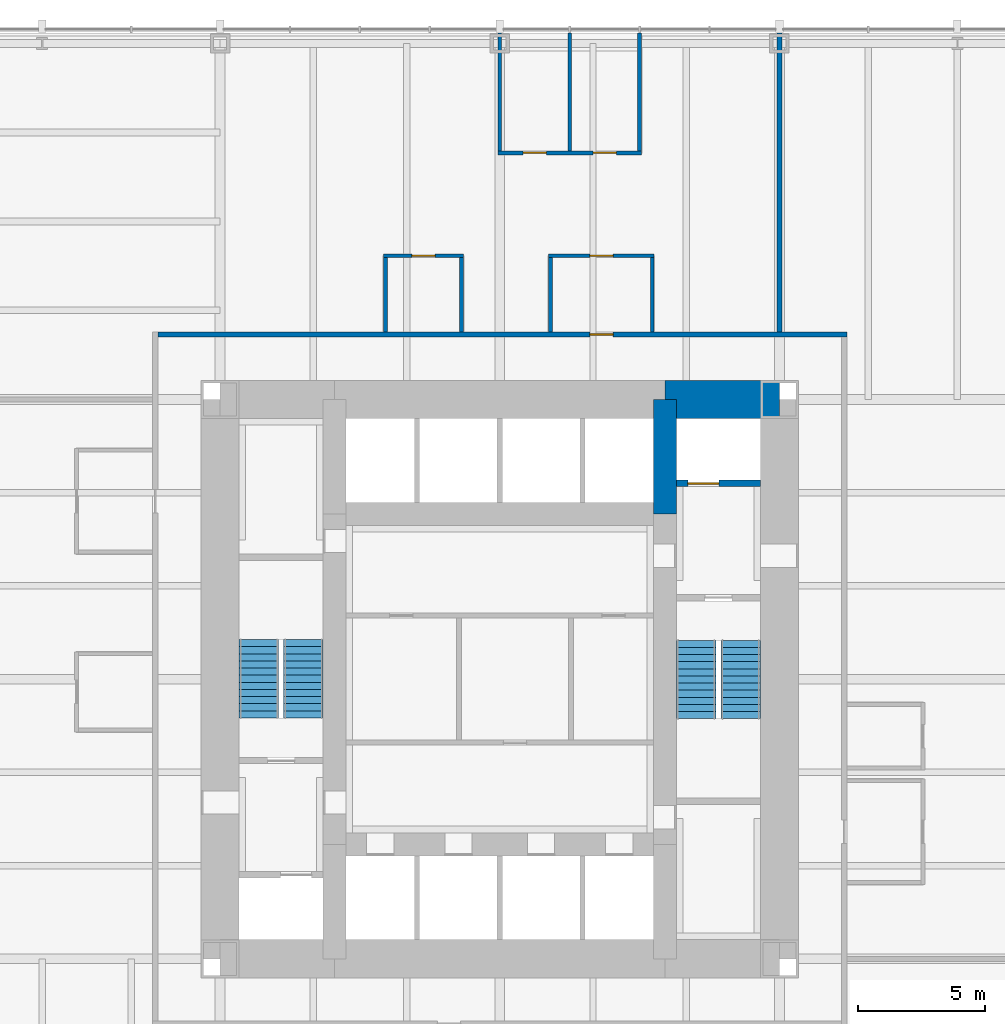
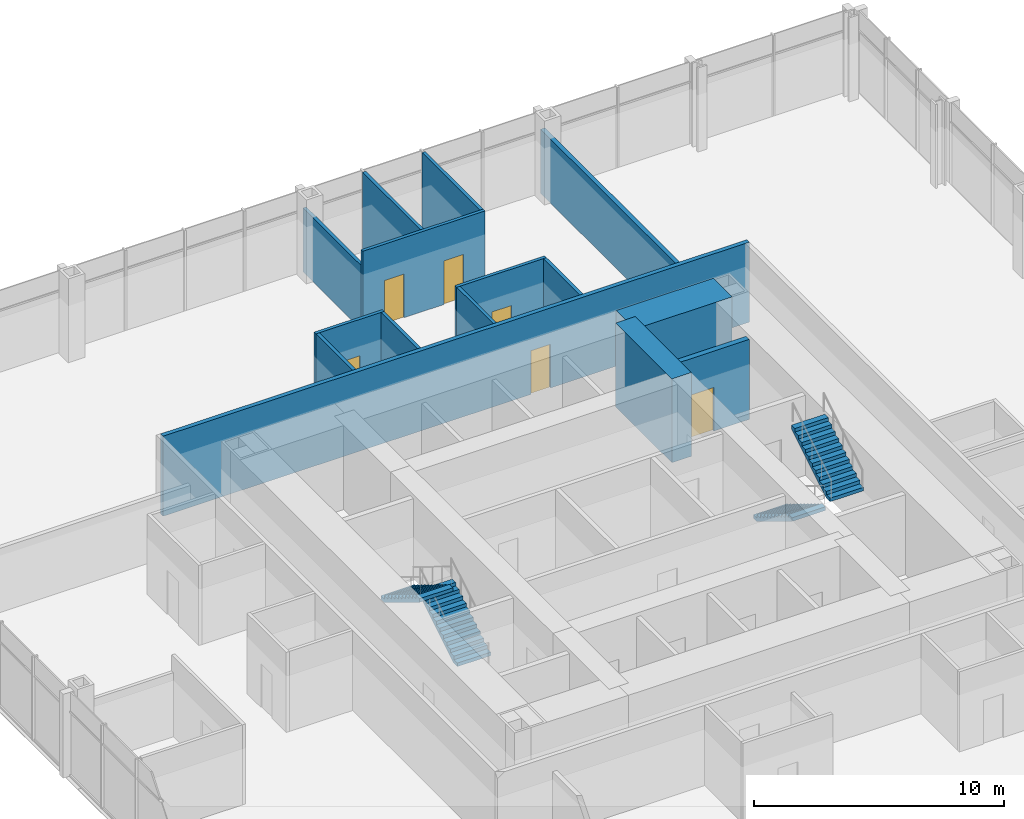
# One storey, part 11 of 12: 15 walls, 6 doors, 4 stair flights, 6 openings, 2 elements without a shape of their own.
"""IFC4 building model written with IfcOpenShell, lengths in metres."""

from ifc_helpers import new_model, si_unit, direction, frame, frame_2d, origin, place, context, subcontext, project, spatial, polyline, rectangle, outline, extrude, material, layer, layer_set, type_object, element, fill, aggregate, save


model = new_model("IFC4")

# Units and contexts
model_context = context("Model", 3, precision=1e-05, world=origin(), true_north=direction((0.0, 1.0)))
body_context = subcontext(model_context, "Body", "Model", "MODEL_VIEW")
ifc_project = project(units=[si_unit("LENGTHUNIT", "METRE"), si_unit("AREAUNIT", "SQUARE_METRE"), si_unit("VOLUMEUNIT", "CUBIC_METRE"), si_unit("PLANEANGLEUNIT", "RADIAN"), si_unit("MASSUNIT", "GRAM", prefix="KILO")], contexts=[model_context])

# Site, building, storey
site_placement = place(None, origin())
site = spatial("IfcSite", under=ifc_project, at=site_placement, CompositionType="ELEMENT")
building_placement = place(site_placement, origin())
building = spatial("IfcBuilding", under=site, at=building_placement, Name="Trevanion Tower", CompositionType="ELEMENT")
storey_placement = place(building_placement, frame((0.0, 0.0, 28.300048828125)))
storey = spatial("IfcBuildingStorey", under=building, at=storey_placement, Name="L06", CompositionType="ELEMENT", Elevation=28.300048828125)

# Walls
ifc_material_1 = material(Name="Concrete 10,000 psi", Category="concrete")
ifc_layer_1 = layer(ifc_material_1, 1.5)
ifc_layer_set_1 = layer_set([ifc_layer_1], Name="CW1 core wall 1500")
wall_type_1 = type_object("IfcWallType", Name="CW1 core wall 1500", PredefinedType="SHEAR", material=ifc_layer_set_1)
wall_1_placement = place(storey_placement, frame((11.0, 11.0, 0.0), z_axis=(0.0, 0.0, 1.0), x_axis=(-1.0, 0.0, 0.0)))
element("IfcWall", 1, at=wall_1_placement, inside=storey, type_object=wall_type_1, Name="CW1 CN1 L06", PredefinedType="SHEAR", context=body_context, shape_type="SweptSolid", body=[
    extrude(rectangle(XDim=4.5, YDim=1.5, at=frame_2d((2.25, 0.0))), origin(), (0.0, 0.0, 1.0), 4.099853515625),
])
ifc_material_2 = material(Name="Concrete 10,000 psi", Category="concrete")
ifc_layer_2 = layer(ifc_material_2, 0.89990234375)
ifc_layer_set_2 = layer_set([ifc_layer_2], Name="CW2 core wall 900")
wall_type_2 = type_object("IfcWallType", Name="CW2 core wall 900", PredefinedType="SHEAR", material=ifc_layer_set_2)
wall_2_placement = place(storey_placement, frame((6.5, 6.5, 0.0), z_axis=(0.0, 0.0, 1.0), x_axis=(0.0, 1.0, 0.0)))
element("IfcWall", 2, at=wall_2_placement, inside=storey, type_object=wall_type_2, Name="CW2 RE3 L06", PredefinedType="SHEAR", context=body_context, shape_type="SweptSolid", body=[
    extrude(rectangle(XDim=4.5, YDim=0.89990234375, at=frame_2d((2.25, 0.0))), origin(), (0.0, 0.0, 1.0), 4.099853515625),
])

# Wall, openings, doors
ifc_material_3 = material(Name="Gypsum board on steel studs", Category="steel")
ifc_layer_3 = layer(ifc_material_3, 0.14990234375)
ifc_layer_set_3 = layer_set([ifc_layer_3], Name="PT1 partition 150")
wall_type_3 = type_object("IfcWallType", Name="PT1 partition 150", PredefinedType="PARTITIONING", material=ifc_layer_set_3)
wall_3_placement = place(storey_placement, frame((5.574951171875, 20.699951171875, 0.0), z_axis=(0.0, 0.0, 1.0), x_axis=(-1.0, 0.0, 0.0)))
wall_3 = element("IfcWall", 3, at=wall_3_placement, inside=storey, type_object=wall_type_3, Name="PT1 L06 FC1F", PredefinedType="PARTITIONING", context=body_context, shape_type="SweptSolid", body=[
    extrude(rectangle(XDim=5.64990234375, YDim=0.14990234375, at=frame_2d((2.824951171875, 0.0))), origin(), (0.0, 0.0, 1.0), 3.909912109375),
])
opening_1_placement = place(wall_3_placement, frame((0.992431640625, 0.0, 0.0)))
opening_1 = element("IfcOpeningElement", 4, at=opening_1_placement, cuts=wall_3, Name="Opening 06-021", PredefinedType="OPENING", context=body_context, shape_type="SweptSolid", body=[
    extrude(rectangle(XDim=0.9150390625, YDim=2.134033203125, at=frame_2d((0.45751953125, 1.06689453125))), frame((0.0, 0.0849609375, 0.0), z_axis=(0.0, -1.0, 0.0), x_axis=(1.0, 0.0, 0.0)), (0.0, 0.0, 1.0), 0.169921875),
])
opening_2_placement = place(wall_3_placement, frame((3.742431640625, 0.0, 0.0)))
opening_2 = element("IfcOpeningElement", 5, at=opening_2_placement, cuts=wall_3, Name="Opening 06-022", PredefinedType="OPENING", context=body_context, shape_type="SweptSolid", body=[
    extrude(rectangle(XDim=0.9150390625, YDim=2.134033203125, at=frame_2d((0.45751953125, 1.06689453125))), frame((0.0, 0.0849609375, 0.0), z_axis=(0.0, -1.0, 0.0), x_axis=(1.0, 0.0, 0.0)), (0.0, 0.0, 1.0), 0.169921875),
])
ifc_material_4 = material(Name="Timber veneer, solid core", Category="wood")
door_type_1 = type_object("IfcDoorType", Name="D1 office and meeting room door", OperationType="SINGLE_SWING_LEFT", PredefinedType="DOOR", material=ifc_material_4)
door_1_placement = place(opening_1_placement, origin())
door_1 = element("IfcDoor", 6, at=door_1_placement, inside=storey, type_object=door_type_1, Name="Door 06-021", OperationType="SINGLE_SWING_LEFT", OverallHeight=2.134033203125, OverallWidth=0.9150390625, PredefinedType="DOOR", context=body_context, shape_type="SweptSolid", body=[
    extrude(rectangle(XDim=0.9150390625, YDim=2.134033203125, at=frame_2d((0.45751953125, 1.06689453125))), frame((0.0, 0.02490234375, 0.0), z_axis=(0.0, -1.0, 0.0), x_axis=(1.0, 0.0, 0.0)), (0.0, 0.0, 1.0), 0.050048828125),
])
fill(opening_1, door_1)
door_2_placement = place(opening_2_placement, origin())
door_2 = element("IfcDoor", 7, at=door_2_placement, inside=storey, type_object=door_type_1, Name="Door 06-022", OperationType="SINGLE_SWING_LEFT", OverallHeight=2.134033203125, OverallWidth=0.9150390625, PredefinedType="DOOR", context=body_context, shape_type="SweptSolid", body=[
    extrude(rectangle(XDim=0.9150390625, YDim=2.134033203125, at=frame_2d((0.45751953125, 1.06689453125))), frame((0.0, 0.02490234375, 0.0), z_axis=(0.0, -1.0, 0.0), x_axis=(1.0, 0.0, 0.0)), (0.0, 0.0, 1.0), 0.050048828125),
])
fill(opening_2, door_2)

# Walls
for number, where, z_axis, x_axis, name in (
    (8, (5.5, 20.77490234375, 0.0), (0.0, 0.0, 1.0), (0.0, 1.0, 0.0), "PT1 L06 FC1S0"),
    (9, (2.75, 20.77490234375, 0.0), (0.0, 0.0, 1.0), (0.0, 1.0, 0.0), "PT1 L06 FC1S1"),
):
    element("IfcWall", number, at=place(storey_placement, frame(where, z_axis=z_axis, x_axis=x_axis)), inside=storey, type_object=wall_type_3, Name=name, PredefinedType="PARTITIONING", context=body_context, shape_type="SweptSolid", body=[
        extrude(rectangle(XDim=4.64013671875, YDim=0.14990234375, at=frame_2d((2.320068359375, 0.0))), origin(), (0.0, 0.0, 1.0), 3.909912109375),
    ])
wall_4_placement = place(storey_placement, frame((0.0, 20.77490234375, 0.0), z_axis=(0.0, 0.0, 1.0), x_axis=(0.0, 1.0, 0.0)))
element("IfcWall", 10, at=wall_4_placement, inside=storey, type_object=wall_type_3, Name="PT1 L06 FC1S2", PredefinedType="PARTITIONING", context=body_context, shape_type="SweptSolid", body=[
    extrude(rectangle(XDim=4.64013671875, YDim=0.14990234375, at=frame_2d((2.320068359375, 0.0))), origin(), (0.0, 0.0, 1.0), 3.130126953125),
])

# Wall, opening, door
wall_5_placement = place(storey_placement, frame((6.074951171875, 16.64990234375, 0.0), z_axis=(0.0, 0.0, 1.0), x_axis=(-1.0, 0.0, 0.0)))
wall_5 = element("IfcWall", 11, at=wall_5_placement, inside=storey, type_object=wall_type_3, Name="PT1 L06 IN10F", PredefinedType="PARTITIONING", context=body_context, shape_type="SweptSolid", body=[
    extrude(rectangle(XDim=4.14990234375, YDim=0.14990234375, at=frame_2d((2.074951171875, 0.0))), origin(), (0.0, 0.0, 1.0), 3.909912109375),
])
opening_3_placement = place(wall_5_placement, frame((1.617431640625, 0.0, 0.0)))
opening_3 = element("IfcOpeningElement", 12, at=opening_3_placement, cuts=wall_5, Name="Opening 06-027", PredefinedType="OPENING", context=body_context, shape_type="SweptSolid", body=[
    extrude(rectangle(XDim=0.9150390625, YDim=2.134033203125, at=frame_2d((0.45751953125, 1.06689453125))), frame((0.0, 0.0849609375, 0.0), z_axis=(0.0, -1.0, 0.0), x_axis=(1.0, 0.0, 0.0)), (0.0, 0.0, 1.0), 0.169921875),
])
door_3_placement = place(opening_3_placement, origin())
door_3 = element("IfcDoor", 13, at=door_3_placement, inside=storey, type_object=door_type_1, Name="Door 06-027", OperationType="SINGLE_SWING_LEFT", OverallHeight=2.134033203125, OverallWidth=0.9150390625, PredefinedType="DOOR", context=body_context, shape_type="SweptSolid", body=[
    extrude(rectangle(XDim=0.9150390625, YDim=2.134033203125, at=frame_2d((0.45751953125, 1.06689453125))), frame((0.0, 0.02490234375, 0.0), z_axis=(0.0, -1.0, 0.0), x_axis=(1.0, 0.0, 0.0)), (0.0, 0.0, 1.0), 0.050048828125),
])
fill(opening_3, door_3)

# Walls
for number, where, z_axis, x_axis, name in (
    (14, (6.0, 16.574951171875, 0.0), (0.0, 0.0, 1.0), (0.0, -1.0, 0.0), "PT1 L06 IN10S0"),
    (15, (2.0, 16.574951171875, 0.0), (0.0, 0.0, 1.0), (0.0, -1.0, 0.0), "PT1 L06 IN10S1"),
):
    element("IfcWall", number, at=place(storey_placement, frame(where, z_axis=z_axis, x_axis=x_axis)), inside=storey, type_object=wall_type_3, Name=name, PredefinedType="PARTITIONING", context=body_context, shape_type="SweptSolid", body=[
        extrude(rectangle(XDim=2.925048828125, YDim=0.14990234375, at=frame_2d((1.46240234375, 0.0))), origin(), (0.0, 0.0, 1.0), 3.909912109375),
    ])

# Wall, opening, door
wall_6_placement = place(storey_placement, frame((-1.425048828125, 16.64990234375, 0.0), z_axis=(0.0, 0.0, 1.0), x_axis=(-1.0, 0.0, 0.0)))
wall_6 = element("IfcWall", 16, at=wall_6_placement, inside=storey, type_object=wall_type_3, Name="PT1 L06 IN11F", PredefinedType="PARTITIONING", context=body_context, shape_type="SweptSolid", body=[
    extrude(rectangle(XDim=3.14990234375, YDim=0.14990234375, at=frame_2d((1.574951171875, 0.0))), origin(), (0.0, 0.0, 1.0), 3.909912109375),
])
opening_4_placement = place(wall_6_placement, frame((1.117431640625, 0.0, 0.0)))
opening_4 = element("IfcOpeningElement", 17, at=opening_4_placement, cuts=wall_6, Name="Opening 06-029", PredefinedType="OPENING", context=body_context, shape_type="SweptSolid", body=[
    extrude(rectangle(XDim=0.9150390625, YDim=2.134033203125, at=frame_2d((0.45751953125, 1.06689453125))), frame((0.0, 0.0849609375, 0.0), z_axis=(0.0, -1.0, 0.0), x_axis=(1.0, 0.0, 0.0)), (0.0, 0.0, 1.0), 0.169921875),
])
door_4_placement = place(opening_4_placement, origin())
door_4 = element("IfcDoor", 18, at=door_4_placement, inside=storey, type_object=door_type_1, Name="Door 06-029", OperationType="SINGLE_SWING_LEFT", OverallHeight=2.134033203125, OverallWidth=0.9150390625, PredefinedType="DOOR", context=body_context, shape_type="SweptSolid", body=[
    extrude(rectangle(XDim=0.9150390625, YDim=2.134033203125, at=frame_2d((0.45751953125, 1.06689453125))), frame((0.0, 0.02490234375, 0.0), z_axis=(0.0, -1.0, 0.0), x_axis=(1.0, 0.0, 0.0)), (0.0, 0.0, 1.0), 0.050048828125),
])
fill(opening_4, door_4)

# Walls
for number, where, z_axis, x_axis, name in (
    (19, (-1.5, 16.574951171875, 0.0), (0.0, 0.0, 1.0), (0.0, -1.0, 0.0), "PT1 L06 IN11S0"),
    (20, (-4.5, 16.574951171875, 0.0), (0.0, 0.0, 1.0), (0.0, -1.0, 0.0), "PT1 L06 IN11S1"),
):
    element("IfcWall", number, at=place(storey_placement, frame(where, z_axis=z_axis, x_axis=x_axis)), inside=storey, type_object=wall_type_3, Name=name, PredefinedType="PARTITIONING", context=body_context, shape_type="SweptSolid", body=[
        extrude(rectangle(XDim=2.925048828125, YDim=0.14990234375, at=frame_2d((1.46240234375, 0.0))), origin(), (0.0, 0.0, 1.0), 3.909912109375),
    ])

# Wall, opening, door
ifc_material_5 = material(Name="Concrete masonry, grouted", Category="masonry")
ifc_layer_4 = layer(ifc_material_5, 0.199951171875)
ifc_layer_set_4 = layer_set([ifc_layer_4], Name="PT2 partition 200 1 HR")
wall_type_4 = type_object("IfcWallType", Name="PT2 partition 200 1 HR", PredefinedType="PARTITIONING", material=ifc_layer_set_4)
wall_7_placement = place(storey_placement, frame((13.64990234375, 13.550048828125, 0.0), z_axis=(0.0, 0.0, 1.0), x_axis=(-1.0, 0.0, 0.0)))
wall_7 = element("IfcWall", 21, at=wall_7_placement, inside=storey, type_object=wall_type_4, Name="PT2 L06 OC1", PredefinedType="PARTITIONING", context=body_context, shape_type="SweptSolid", body=[
    extrude(rectangle(XDim=27.099853515625, YDim=0.199951171875, at=frame_2d((13.5498046875, 0.0))), origin(), (0.0, 0.0, 1.0), 3.909912109375),
])
opening_5_placement = place(wall_7_placement, frame((9.1923828125, 0.0, 0.0)))
opening_5 = element("IfcOpeningElement", 22, at=opening_5_placement, cuts=wall_7, Name="Opening 06-028", PredefinedType="OPENING", context=body_context, shape_type="SweptSolid", body=[
    extrude(rectangle(XDim=0.9150390625, YDim=2.134033203125, at=frame_2d((0.45751953125, 1.06689453125))), frame((0.0, 0.10986328125, 0.0), z_axis=(0.0, -1.0, 0.0), x_axis=(1.0, 0.0, 0.0)), (0.0, 0.0, 1.0), 0.219970703125),
])
ifc_material_6 = material(Name="Timber veneer, fire rated", Category="wood")
door_type_2 = type_object("IfcDoorType", Name="D10 office door in a one hour wall", OperationType="SINGLE_SWING_LEFT", PredefinedType="DOOR", material=ifc_material_6)
door_5_placement = place(opening_5_placement, origin())
door_5 = element("IfcDoor", 23, at=door_5_placement, inside=storey, type_object=door_type_2, Name="Door 06-028", OperationType="SINGLE_SWING_LEFT", OverallHeight=2.134033203125, OverallWidth=0.9150390625, PredefinedType="DOOR", context=body_context, shape_type="SweptSolid", body=[
    extrude(rectangle(XDim=0.9150390625, YDim=2.134033203125, at=frame_2d((0.45751953125, 1.06689453125))), frame((0.0, 0.02490234375, 0.0), z_axis=(0.0, -1.0, 0.0), x_axis=(1.0, 0.0, 0.0)), (0.0, 0.0, 1.0), 0.050048828125),
])
fill(opening_5, door_5)

# Wall
wall_8_placement = place(storey_placement, frame((11.0, 13.64990234375, 0.0), z_axis=(0.0, 0.0, 1.0), x_axis=(0.0, 1.0, 0.0)))
element("IfcWall", 24, at=wall_8_placement, inside=storey, type_object=wall_type_4, Name="PT2 L06 DM0", PredefinedType="PARTITIONING", context=body_context, shape_type="SweptSolid", body=[
    extrude(rectangle(XDim=11.76513671875, YDim=0.199951171875, at=frame_2d((5.882568359375, 0.0))), origin(), (0.0, 0.0, 1.0), 3.130126953125),
])

# Wall, opening, door
ifc_material_7 = material(Name="Concrete masonry, grouted, two-hour", Category="masonry")
ifc_layer_5 = layer(ifc_material_7, 0.25)
ifc_layer_set_5 = layer_set([ifc_layer_5], Name="PT3 partition 250 2 HR")
wall_type_5 = type_object("IfcWallType", Name="PT3 partition 250 2 HR", PredefinedType="PARTITIONING", material=ifc_layer_set_5)
wall_9_placement = place(storey_placement, frame((6.949951171875, 7.699951171875, 0.0), z_axis=(0.0, 0.0, 1.0), x_axis=(1.0, 0.0, 0.0)))
wall_9 = element("IfcWall", 25, at=wall_9_placement, inside=storey, type_object=wall_type_5, Name="PT3 L06 EP3", PredefinedType="PARTITIONING", context=body_context, shape_type="SweptSolid", body=[
    extrude(rectangle(XDim=3.300048828125, YDim=0.25, at=frame_2d((1.64990234375, 0.0))), origin(), (0.0, 0.0, 1.0), 3.909912109375),
])
opening_6_placement = place(wall_9_placement, frame((0.449951171875, 0.0, 0.0)))
opening_6 = element("IfcOpeningElement", 26, at=opening_6_placement, cuts=wall_9, Name="Opening 06-007", PredefinedType="OPENING", context=body_context, shape_type="SweptSolid", body=[
    extrude(rectangle(XDim=1.218994140625, YDim=2.134033203125, at=frame_2d((0.609375, 1.06689453125))), frame((0.0, 0.135009765625, 0.0), z_axis=(0.0, -1.0, 0.0), x_axis=(1.0, 0.0, 0.0)), (0.0, 0.0, 1.0), 0.27001953125),
])
ifc_material_8 = material(Name="Stainless steel, fire rated", Category="steel")
door_type_3 = type_object("IfcDoorType", Name="LD2 fire service lift landing door", OperationType="SLIDING_TO_LEFT", PredefinedType="DOOR", material=ifc_material_8)
door_6_placement = place(opening_6_placement, origin())
door_6 = element("IfcDoor", 27, at=door_6_placement, inside=storey, type_object=door_type_3, Name="Door 06-007", OperationType="SLIDING_TO_LEFT", OverallHeight=2.134033203125, OverallWidth=1.218994140625, PredefinedType="DOOR", context=body_context, shape_type="SweptSolid", body=[
    extrude(rectangle(XDim=1.218994140625, YDim=2.134033203125, at=frame_2d((0.609375, 1.06689453125))), frame((0.0, 0.02490234375, 0.0), z_axis=(0.0, -1.0, 0.0), x_axis=(1.0, 0.0, 0.0)), (0.0, 0.0, 1.0), 0.050048828125),
])
fill(opening_6, door_6)

# Stair, stair flights
ifc_material_9 = material(Name="Concrete 5,000 psi on steel stringers", Category="concrete")
stair_type = type_object("IfcStairType", Name="ST stair", PredefinedType="HALF_TURN_STAIR", material=ifc_material_9)
stair_1_placement = place(storey_placement, origin())
stair_1 = element("IfcStair", 28, at=stair_1_placement, inside=storey, type_object=stair_type, Name="ST1 L06", PredefinedType="HALF_TURN_STAIR")
ifc_material_10 = material(Name="Concrete 5,000 psi in steel pan", Category="concrete")
stair_flight_type = type_object("IfcStairFlightType", Name="STF stair flight", PredefinedType="STRAIGHT", material=ifc_material_10)
stair_flight_1_placement = place(storey_placement, frame((7.72509765625, 1.52490234375, 0.0), z_axis=(0.0, 0.0, 1.0), x_axis=(0.0, -1.0, 0.0)))
stair_flight_1 = element("IfcStairFlight", 29, at=stair_flight_1_placement, type_object=stair_flight_type, Name="ST1 flight 1", NumberOfRisers=12, NumberOfTreads=11, PredefinedType="STRAIGHT", RiserHeight=0.170833333, TreadLength=0.28, context=body_context, shape_type="SweptSolid", body=[
    extrude(outline(polyline([(0.0, 0.0), (0.0, 0.1708984375), (0.280029296875, 0.1708984375), (0.280029296875, 0.341552734375), (0.56005859375, 0.341552734375), (0.56005859375, 0.512451171875), (0.840087890625, 0.512451171875), (0.840087890625, 0.683349609375), (1.1201171875, 0.683349609375), (1.1201171875, 0.854248046875), (1.39990234375, 0.854248046875), (1.39990234375, 1.02490234375), (1.679931640625, 1.02490234375), (1.679931640625, 1.19580078125), (1.9599609375, 1.19580078125), (1.9599609375, 1.36669921875), (2.239990234375, 1.36669921875), (2.239990234375, 1.53759765625), (2.52001953125, 1.53759765625), (2.52001953125, 1.708251953125), (2.800048828125, 1.708251953125), (2.800048828125, 1.879150390625), (3.080078125, 1.879150390625), (3.080078125, 2.050048828125), (3.080078125, 1.70361328125), (0.287841796875, 0.0), (0.0, 0.0)])), frame((0.0, 0.77490234375, 0.0), z_axis=(0.0, -1.0, 0.0), x_axis=(1.0, 0.0, 0.0)), (0.0, 0.0, 1.0), 1.550048828125),
])
stair_flight_2_placement = place(storey_placement, frame((9.47509765625, -1.554931640625, 2.050048828125), z_axis=(0.0, 0.0, 1.0), x_axis=(0.0, 1.0, 0.0)))
stair_flight_2 = element("IfcStairFlight", 30, at=stair_flight_2_placement, type_object=stair_flight_type, Name="ST1 flight 2", NumberOfRisers=12, NumberOfTreads=11, PredefinedType="STRAIGHT", RiserHeight=0.170833333, TreadLength=0.28, context=body_context, shape_type="SweptSolid", body=[
    extrude(outline(polyline([(0.0, 0.0), (0.0, 0.1708984375), (0.280029296875, 0.1708984375), (0.280029296875, 0.341552734375), (0.56005859375, 0.341552734375), (0.56005859375, 0.512451171875), (0.840087890625, 0.512451171875), (0.840087890625, 0.683349609375), (1.1201171875, 0.683349609375), (1.1201171875, 0.854248046875), (1.39990234375, 0.854248046875), (1.39990234375, 1.02490234375), (1.679931640625, 1.02490234375), (1.679931640625, 1.19580078125), (1.9599609375, 1.19580078125), (1.9599609375, 1.36669921875), (2.239990234375, 1.36669921875), (2.239990234375, 1.53759765625), (2.52001953125, 1.53759765625), (2.52001953125, 1.708251953125), (2.800048828125, 1.708251953125), (2.800048828125, 1.879150390625), (3.080078125, 1.879150390625), (3.080078125, 2.050048828125), (3.080078125, 1.70361328125), (0.287841796875, 0.0), (0.0, 0.0)])), frame((0.0, 0.77490234375, 0.0), z_axis=(0.0, -1.0, 0.0), x_axis=(1.0, 0.0, 0.0)), (0.0, 0.0, 1.0), 1.550048828125),
])
aggregate(stair_1, [stair_flight_1, stair_flight_2])

stair_2_placement = place(storey_placement, origin())
stair_2 = element("IfcStair", 31, at=stair_2_placement, inside=storey, type_object=stair_type, Name="ST2 L06", PredefinedType="HALF_TURN_STAIR")
stair_flight_3_placement = place(storey_placement, frame((-7.72509765625, -1.52490234375, 0.0), z_axis=(0.0, 0.0, 1.0), x_axis=(0.0, 1.0, 0.0)))
stair_flight_3 = element("IfcStairFlight", 32, at=stair_flight_3_placement, type_object=stair_flight_type, Name="ST2 flight 1", NumberOfRisers=12, NumberOfTreads=11, PredefinedType="STRAIGHT", RiserHeight=0.170833333, TreadLength=0.28, context=body_context, shape_type="SweptSolid", body=[
    extrude(outline(polyline([(0.0, 0.0), (0.0, 0.1708984375), (0.280029296875, 0.1708984375), (0.280029296875, 0.341552734375), (0.56005859375, 0.341552734375), (0.56005859375, 0.512451171875), (0.840087890625, 0.512451171875), (0.840087890625, 0.683349609375), (1.1201171875, 0.683349609375), (1.1201171875, 0.854248046875), (1.39990234375, 0.854248046875), (1.39990234375, 1.02490234375), (1.679931640625, 1.02490234375), (1.679931640625, 1.19580078125), (1.9599609375, 1.19580078125), (1.9599609375, 1.36669921875), (2.239990234375, 1.36669921875), (2.239990234375, 1.53759765625), (2.52001953125, 1.53759765625), (2.52001953125, 1.708251953125), (2.800048828125, 1.708251953125), (2.800048828125, 1.879150390625), (3.080078125, 1.879150390625), (3.080078125, 2.050048828125), (3.080078125, 1.70361328125), (0.287841796875, 0.0), (0.0, 0.0)])), frame((0.0, 0.77490234375, 0.0), z_axis=(0.0, -1.0, 0.0), x_axis=(1.0, 0.0, 0.0)), (0.0, 0.0, 1.0), 1.550048828125),
])
stair_flight_4_placement = place(storey_placement, frame((-9.47509765625, 1.554931640625, 2.050048828125), z_axis=(0.0, 0.0, 1.0), x_axis=(0.0, -1.0, 0.0)))
stair_flight_4 = element("IfcStairFlight", 33, at=stair_flight_4_placement, type_object=stair_flight_type, Name="ST2 flight 2", NumberOfRisers=12, NumberOfTreads=11, PredefinedType="STRAIGHT", RiserHeight=0.170833333, TreadLength=0.28, context=body_context, shape_type="SweptSolid", body=[
    extrude(outline(polyline([(0.0, 0.0), (0.0, 0.1708984375), (0.280029296875, 0.1708984375), (0.280029296875, 0.341552734375), (0.56005859375, 0.341552734375), (0.56005859375, 0.512451171875), (0.840087890625, 0.512451171875), (0.840087890625, 0.683349609375), (1.1201171875, 0.683349609375), (1.1201171875, 0.854248046875), (1.39990234375, 0.854248046875), (1.39990234375, 1.02490234375), (1.679931640625, 1.02490234375), (1.679931640625, 1.19580078125), (1.9599609375, 1.19580078125), (1.9599609375, 1.36669921875), (2.239990234375, 1.36669921875), (2.239990234375, 1.53759765625), (2.52001953125, 1.53759765625), (2.52001953125, 1.708251953125), (2.800048828125, 1.708251953125), (2.800048828125, 1.879150390625), (3.080078125, 1.879150390625), (3.080078125, 2.050048828125), (3.080078125, 1.70361328125), (0.287841796875, 0.0), (0.0, 0.0)])), frame((0.0, 0.77490234375, 0.0), z_axis=(0.0, -1.0, 0.0), x_axis=(1.0, 0.0, 0.0)), (0.0, 0.0, 1.0), 1.550048828125),
])
aggregate(stair_2, [stair_flight_3, stair_flight_4])

save(model, "model.ifc")
